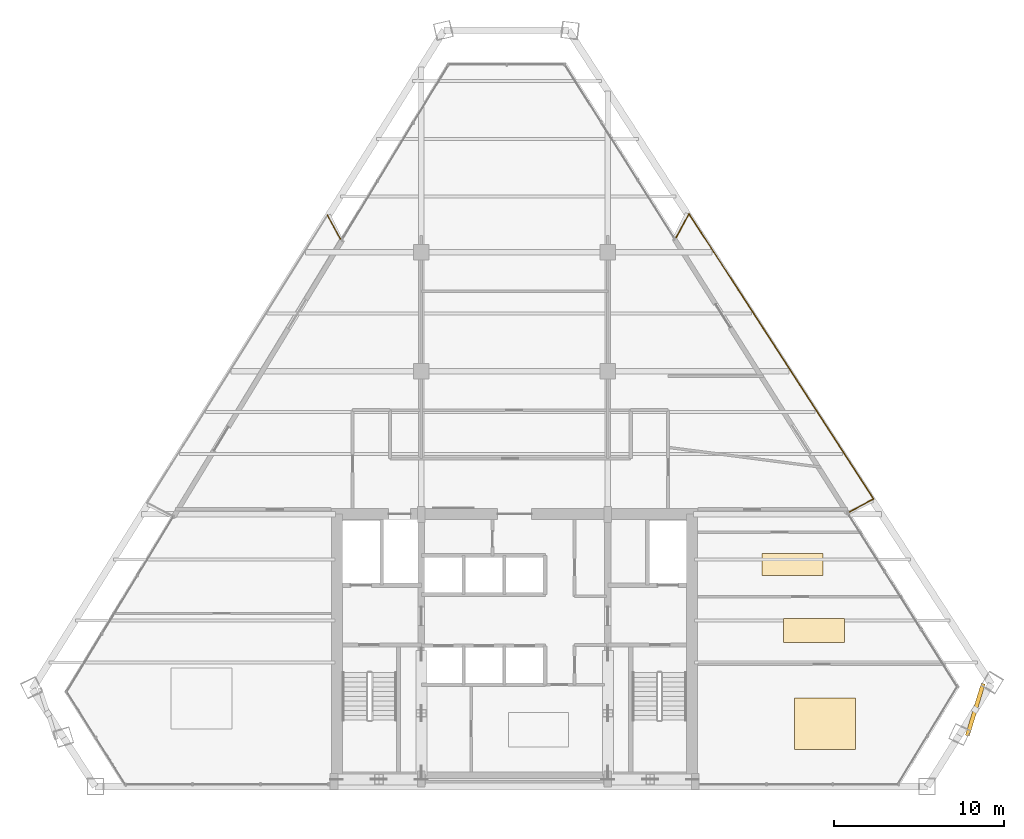
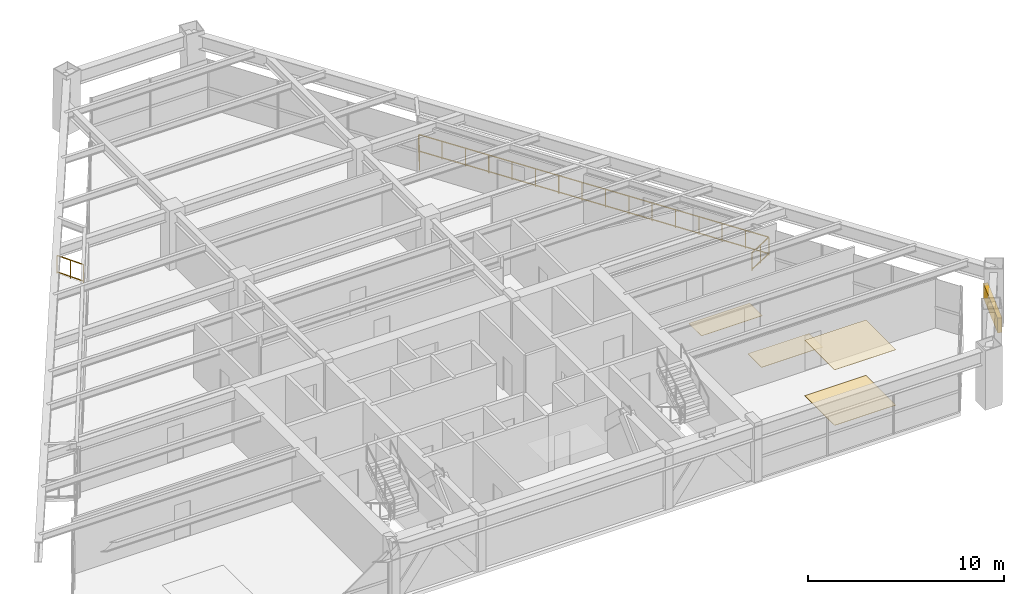
# One storey, part 13 of 13: 4 coverings, 4 railings, 1 shading device.
"""IFC4 building model written with IfcOpenShell, lengths in metres."""

from ifc_helpers import new_model, si_unit, direction, frame, origin, origin_2d, place, context, subcontext, project, spatial, rectangle, extrude, source, transform, mapped, material, layer, layer_set, type_object, type_shapes, element, save


model = new_model("IFC4")

# Units and contexts
model_context = context("Model", 3, precision=1e-05, world=origin(), true_north=direction((0.0, 1.0)))
body_context = subcontext(model_context, "Body", "Model", "MODEL_VIEW")
ifc_project = project(units=[si_unit("LENGTHUNIT", "METRE"), si_unit("AREAUNIT", "SQUARE_METRE"), si_unit("VOLUMEUNIT", "CUBIC_METRE"), si_unit("PLANEANGLEUNIT", "RADIAN"), si_unit("MASSUNIT", "GRAM", prefix="KILO")], contexts=[model_context])

# Site, building, storey
site_placement = place(None, origin())
site = spatial("IfcSite", under=ifc_project, at=site_placement, CompositionType="ELEMENT")
building_placement = place(site_placement, origin())
building = spatial("IfcBuilding", under=site, at=building_placement, Name="Varnakhor Terracotta Tower", CompositionType="ELEMENT")
storey_placement = place(building_placement, frame((0.0, 0.0, 204.300048828125)))
storey = spatial("IfcBuildingStorey", under=building, at=storey_placement, Name="L52", CompositionType="ELEMENT", Elevation=204.300048828125)

# Railings
ifc_material_1 = material(Name="Stainless Steel & Laminated Glass Guardrail", Category="steel")
railing_type = type_object("IfcRailingType", Name="RLG-LOGGIA-GUARD-1150", PredefinedType="GUARDRAIL", material=ifc_material_1)
railing_1_placement = place(storey_placement, frame((9.534912109375, 32.388671875, 0.0)))
element("IfcRailing", 1, at=railing_1_placement, inside=storey, type_object=railing_type, Name="L52 E Loggia Glass Guard 1", PredefinedType="GUARDRAIL", context=body_context, shape_type="SweptSolid", body=[
    extrude(rectangle(XDim=0.048095703125, YDim=0.048095703125, at=origin_2d()), frame((0.0, 0.0, 1.1259765625), z_axis=(0.477725925391, 0.878508930068, 0.0), x_axis=(-0.878508930068, 0.477725925391, 0.0)), (0.0, 0.0, 1.0), 1.580078125),
    extrude(rectangle(XDim=0.048095703125, YDim=0.048095703125, at=origin_2d()), frame((0.0, 0.0, 0.10009765625), z_axis=(0.477725925391, 0.878508930068, 0.0), x_axis=(-0.878508930068, 0.477725925391, 0.0)), (0.0, 0.0, 1.0), 1.580078125),
    extrude(rectangle(XDim=0.0419921875, YDim=0.0419921875, at=origin_2d()), origin(), (0.0, 0.0, 1.0), 1.101806640625),
    extrude(rectangle(XDim=0.0419921875, YDim=0.0419921875, at=origin_2d()), frame((0.37744140625, 0.694091796875, 0.0)), (0.0, 0.0, 1.0), 1.101806640625),
    extrude(rectangle(XDim=0.0419921875, YDim=0.0419921875, at=origin_2d()), frame((0.7548828125, 1.38818359375, 0.0)), (0.0, 0.0, 1.0), 1.101806640625),
])
railing_2_placement = place(storey_placement, frame((10.289794921875, 33.77685546875, 0.0)))
element("IfcRailing", 2, at=railing_2_placement, inside=storey, type_object=railing_type, Name="L52 E Loggia Glass Guard 2", PredefinedType="GUARDRAIL", context=body_context, shape_type="SweptSolid", body=[
    extrude(rectangle(XDim=0.048095703125, YDim=0.048095703125, at=origin_2d()), frame((0.0, 0.0, 1.1259765625), z_axis=(0.543447340284, -0.83944326094, 0.0), x_axis=(0.83944326094, 0.543447340284, 0.0)), (0.0, 0.0, 1.0), 20.03125),
    extrude(rectangle(XDim=0.048095703125, YDim=0.048095703125, at=origin_2d()), frame((0.0, 0.0, 0.10009765625), z_axis=(0.543447340284, -0.83944326094, 0.0), x_axis=(0.83944326094, 0.543447340284, 0.0)), (0.0, 0.0, 1.0), 20.03125),
    extrude(rectangle(XDim=0.0419921875, YDim=0.0419921875, at=origin_2d()), origin(), (0.0, 0.0, 1.0), 1.101806640625),
    extrude(rectangle(XDim=0.0419921875, YDim=0.0419921875, at=origin_2d()), frame((0.725830078125, -1.12109375, 0.0)), (0.0, 0.0, 1.0), 1.101806640625),
    extrude(rectangle(XDim=0.0419921875, YDim=0.0419921875, at=origin_2d()), frame((1.451416015625, -2.241943359375, 0.0)), (0.0, 0.0, 1.0), 1.101806640625),
    extrude(rectangle(XDim=0.0419921875, YDim=0.0419921875, at=origin_2d()), frame((2.17724609375, -3.363037109375, 0.0)), (0.0, 0.0, 1.0), 1.101806640625),
    extrude(rectangle(XDim=0.0419921875, YDim=0.0419921875, at=origin_2d()), frame((2.90283203125, -4.484130859375, 0.0)), (0.0, 0.0, 1.0), 1.101806640625),
    extrude(rectangle(XDim=0.0419921875, YDim=0.0419921875, at=origin_2d()), frame((3.628662109375, -5.60498046875, 0.0)), (0.0, 0.0, 1.0), 1.101806640625),
    extrude(rectangle(XDim=0.0419921875, YDim=0.0419921875, at=origin_2d()), frame((4.3544921875, -6.72607421875, 0.0)), (0.0, 0.0, 1.0), 1.101806640625),
    extrude(rectangle(XDim=0.0419921875, YDim=0.0419921875, at=origin_2d()), frame((5.080078125, -7.84716796875, 0.0)), (0.0, 0.0, 1.0), 1.101806640625),
    extrude(rectangle(XDim=0.0419921875, YDim=0.0419921875, at=origin_2d()), frame((5.805908203125, -8.968017578125, 0.0)), (0.0, 0.0, 1.0), 1.101806640625),
    extrude(rectangle(XDim=0.0419921875, YDim=0.0419921875, at=origin_2d()), frame((6.531494140625, -10.089111328125, 0.0)), (0.0, 0.0, 1.0), 1.101806640625),
    extrude(rectangle(XDim=0.0419921875, YDim=0.0419921875, at=origin_2d()), frame((7.25732421875, -11.210205078125, 0.0)), (0.0, 0.0, 1.0), 1.101806640625),
    extrude(rectangle(XDim=0.0419921875, YDim=0.0419921875, at=origin_2d()), frame((7.983154296875, -12.3310546875, 0.0)), (0.0, 0.0, 1.0), 1.101806640625),
    extrude(rectangle(XDim=0.0419921875, YDim=0.0419921875, at=origin_2d()), frame((8.708740234375, -13.4521484375, 0.0)), (0.0, 0.0, 1.0), 1.101806640625),
    extrude(rectangle(XDim=0.0419921875, YDim=0.0419921875, at=origin_2d()), frame((9.4345703125, -14.5732421875, 0.0)), (0.0, 0.0, 1.0), 1.101806640625),
    extrude(rectangle(XDim=0.0419921875, YDim=0.0419921875, at=origin_2d()), frame((10.16015625, -15.694091796875, 0.0)), (0.0, 0.0, 1.0), 1.101806640625),
    extrude(rectangle(XDim=0.0419921875, YDim=0.0419921875, at=origin_2d()), frame((10.885986328125, -16.815185546875, 0.0)), (0.0, 0.0, 1.0), 1.101806640625),
])
railing_3_placement = place(storey_placement, frame((21.17578125, 16.961669921875, 0.0)))
element("IfcRailing", 3, at=railing_3_placement, inside=storey, type_object=railing_type, Name="L52 E Loggia Glass Guard 3", PredefinedType="GUARDRAIL", context=body_context, shape_type="SweptSolid", body=[
    extrude(rectangle(XDim=0.048095703125, YDim=0.048095703125, at=origin_2d()), frame((0.0, 0.0, 1.1259765625), z_axis=(-0.880485615584, -0.474072864389, 0.0), x_axis=(0.474072864389, -0.880485615584, 0.0)), (0.0, 0.0, 1.0), 1.6201171875),
    extrude(rectangle(XDim=0.048095703125, YDim=0.048095703125, at=origin_2d()), frame((0.0, 0.0, 0.10009765625), z_axis=(-0.880485615584, -0.474072864389, 0.0), x_axis=(0.474072864389, -0.880485615584, 0.0)), (0.0, 0.0, 1.0), 1.6201171875),
    extrude(rectangle(XDim=0.0419921875, YDim=0.0419921875, at=origin_2d()), origin(), (0.0, 0.0, 1.0), 1.101806640625),
    extrude(rectangle(XDim=0.0419921875, YDim=0.0419921875, at=origin_2d()), frame((-0.71337890625, -0.384033203125, 0.0)), (0.0, 0.0, 1.0), 1.101806640625),
    extrude(rectangle(XDim=0.0419921875, YDim=0.0419921875, at=origin_2d()), frame((-1.426513671875, -0.76806640625, 0.0)), (0.0, 0.0, 1.0), 1.101806640625),
])
railing_4_placement = place(storey_placement, frame((-11.0390625, 33.6904296875, 0.0)))
element("IfcRailing", 4, at=railing_4_placement, inside=storey, type_object=railing_type, Name="L52 W Loggia Glass Guard 3", PredefinedType="GUARDRAIL", context=body_context, shape_type="SweptSolid", body=[
    extrude(rectangle(XDim=0.048095703125, YDim=0.048095703125, at=origin_2d()), frame((0.0, 0.0, 1.1259765625), z_axis=(0.480141726373, -0.877190927105, 0.0), x_axis=(0.877190927105, 0.480141726373, 0.0)), (0.0, 0.0, 1.0), 1.577880859375),
    extrude(rectangle(XDim=0.048095703125, YDim=0.048095703125, at=origin_2d()), frame((0.0, 0.0, 0.10009765625), z_axis=(0.480141726373, -0.877190927105, 0.0), x_axis=(0.877190927105, 0.480141726373, 0.0)), (0.0, 0.0, 1.0), 1.577880859375),
    extrude(rectangle(XDim=0.0419921875, YDim=0.0419921875, at=origin_2d()), origin(), (0.0, 0.0, 1.0), 1.101806640625),
    extrude(rectangle(XDim=0.0419921875, YDim=0.0419921875, at=origin_2d()), frame((0.37890625, -0.69189453125, 0.0)), (0.0, 0.0, 1.0), 1.101806640625),
    extrude(rectangle(XDim=0.0419921875, YDim=0.0419921875, at=origin_2d()), frame((0.757568359375, -1.384033203125, 0.0)), (0.0, 0.0, 1.0), 1.101806640625),
])

# Shading device
ifc_material_2 = material(Name="Extruded Architectural Terracotta Screen", Category="masonry")
shading_device_type = type_object("IfcShadingDeviceType", Name="TERRACOTTA SOLAR SCREEN E", PredefinedType="USERDEFINED", material=ifc_material_2)
shared_shape_1 = source(origin(), body_context, "Body", "SweptSolid", [
    extrude(rectangle(XDim=3.199951171875, YDim=0.239990234375, at=origin_2d()), origin(), (0.0, 0.0, 1.0), 0.919921875),
])
type_shapes(shading_device_type, [shared_shape_1])
shading_device_placement = place(storey_placement, frame((27.172607421875, 4.531494140625, 1.7099609375), z_axis=(0.0, 0.0, 1.0), x_axis=(0.292338323211, 0.956314961078, 0.0)))
element("IfcShadingDevice", 5, at=shading_device_placement, inside=storey, type_object=shading_device_type, Name="L52 E Terracotta Solar Screen", ObjectType="SCREEN", PredefinedType="USERDEFINED", context=body_context, shape_type="MappedRepresentation", body=[
    mapped(shared_shape_1, transform((0.0, 0.0, 0.0), scale=1.0)),
])

# Coverings
ifc_material_3 = material(Name="Honed Riyadh Limestone Flooring", Category="masonry")
ifc_layer_1 = layer(ifc_material_3, 0.030029296875, Name="Honed Riyadh Limestone Flooring")
ifc_layer_set_1 = layer_set([ifc_layer_1], Name="Honed Riyadh Limestone Flooring")
covering_type_1 = type_object("IfcCoveringType", Name="COV-FLOOR-LIMESTONE", PredefinedType="FLOORING", material=ifc_layer_set_1)
shared_shape_2 = source(origin(), body_context, "Body", "SweptSolid", [
    extrude(rectangle(XDim=3.60009765625, YDim=3.049072265625, at=origin_2d()), origin(), (0.0, 0.0, 1.0), 0.02001953125),
])
covering_1_placement = place(storey_placement, frame((18.31298828125, 3.701904296875, 0.0), z_axis=(0.0, 0.0, 1.0), x_axis=(1.0, 0.0, 0.0)))
element("IfcCovering", 6, at=covering_1_placement, inside=storey, type_object=covering_type_1, Name="L52 Honed Stone Flooring 2", PredefinedType="FLOORING", context=body_context, shape_type="MappedRepresentation", body=[
    mapped(shared_shape_2, transform((0.0, 0.0, 0.0), scale=1.0)),
])
shared_shape_3 = source(origin(), body_context, "Body", "SweptSolid", [
    extrude(rectangle(XDim=3.60009765625, YDim=1.40087890625, at=origin_2d()), origin(), (0.0, 0.0, 1.0), 0.02001953125),
])
covering_2_placement = place(storey_placement, frame((17.6669921875, 9.199951171875, 0.0), z_axis=(0.0, 0.0, 1.0), x_axis=(1.0, 0.0, 0.0)))
element("IfcCovering", 7, at=covering_2_placement, inside=storey, type_object=covering_type_1, Name="L52 Honed Stone Flooring 4", PredefinedType="FLOORING", context=body_context, shape_type="MappedRepresentation", body=[
    mapped(shared_shape_3, transform((0.0, 0.0, 0.0), scale=1.0)),
])
ifc_material_4 = material(Name="Perforated Acoustic Mineral-Fibre Ceiling", Category="gypsum")
ifc_layer_2 = layer(ifc_material_4, 0.02490234375, Name="Perforated Acoustic Mineral-Fibre Ceiling")
ifc_layer_set_2 = layer_set([ifc_layer_2], Name="Perforated Acoustic Mineral-Fibre Ceiling")
covering_type_2 = type_object("IfcCoveringType", Name="COV-CEILING-ACOUSTIC", PredefinedType="CEILING", material=ifc_layer_set_2)
shared_shape_4 = source(origin(), body_context, "Body", "SweptSolid", [
    extrude(rectangle(XDim=3.60009765625, YDim=3.049072265625, at=origin_2d()), origin(), (0.0, 0.0, 1.0), 0.02392578125),
])
covering_3_placement = place(storey_placement, frame((18.31298828125, 3.701904296875, 3.446044921875), z_axis=(0.0, 0.0, 1.0), x_axis=(1.0, 0.0, 0.0)))
element("IfcCovering", 8, at=covering_3_placement, inside=storey, type_object=covering_type_2, Name="L52 Acoustic Ceiling Panel 2", PredefinedType="CEILING", context=body_context, shape_type="MappedRepresentation", body=[
    mapped(shared_shape_4, transform((0.0, 0.0, 0.0), scale=1.0)),
])
shared_shape_5 = source(origin(), body_context, "Body", "SweptSolid", [
    extrude(rectangle(XDim=3.60009765625, YDim=1.291015625, at=origin_2d()), origin(), (0.0, 0.0, 1.0), 0.02001953125),
])
covering_4_placement = place(storey_placement, frame((16.406005859375, 13.10009765625, 0.0), z_axis=(0.0, 0.0, 1.0), x_axis=(1.0, 0.0, 0.0)))
element("IfcCovering", 9, at=covering_4_placement, inside=storey, type_object=covering_type_1, Name="L52 Honed Stone Flooring 5", PredefinedType="FLOORING", context=body_context, shape_type="MappedRepresentation", body=[
    mapped(shared_shape_5, transform((0.0, 0.0, 0.0), scale=1.0)),
])

save(model, "model.ifc")
